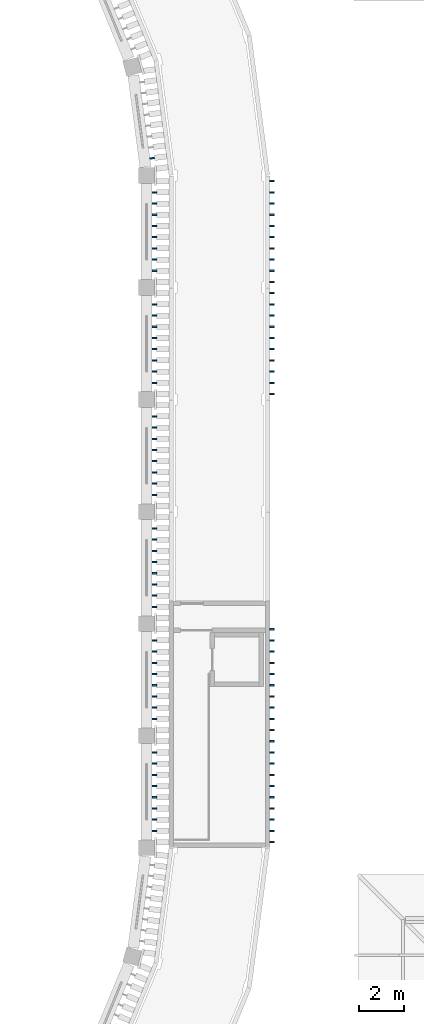
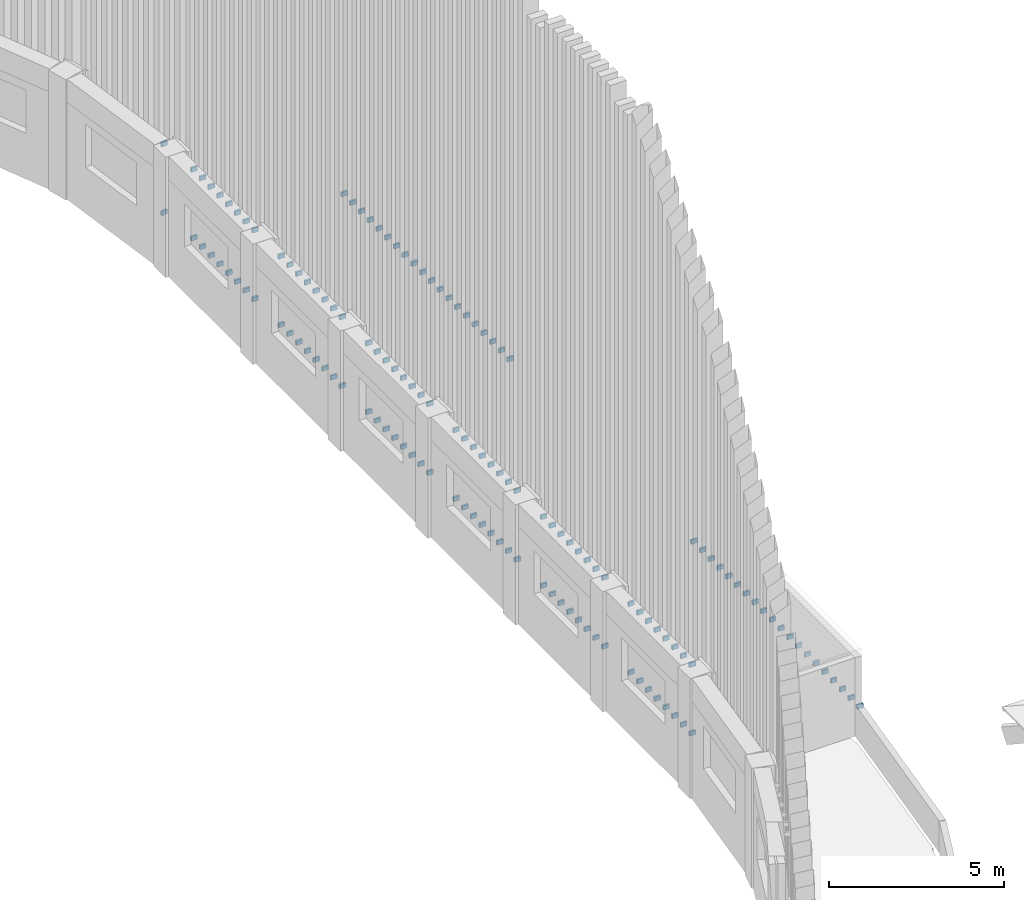
# One storey, part 38 of 68: 138 discrete accessories.
"""IFC4 building model written with IfcOpenShell, lengths in metres."""

from ifc_helpers import new_model, si_unit, direction, frame, origin, origin_2d, place, context, subcontext, project, spatial, rectangle, extrude, material, type_object, element, save


model = new_model("IFC4")

# Units and contexts
model_context = context("Model", 3, precision=1e-05, world=origin(), true_north=direction((0.0, 1.0)))
body_context = subcontext(model_context, "Body", "Model", "MODEL_VIEW")
ifc_project = project(units=[si_unit("LENGTHUNIT", "METRE"), si_unit("AREAUNIT", "SQUARE_METRE"), si_unit("VOLUMEUNIT", "CUBIC_METRE"), si_unit("PLANEANGLEUNIT", "RADIAN"), si_unit("MASSUNIT", "GRAM", prefix="KILO")], contexts=[model_context])

# Site, building, storey
site_placement = place(None, origin())
site = spatial("IfcSite", under=ifc_project, at=site_placement, CompositionType="ELEMENT")
building_placement = place(site_placement, origin())
building = spatial("IfcBuilding", under=site, at=building_placement, Name="Wasatch Bagh Community Centre", CompositionType="ELEMENT")
storey_placement = place(building_placement, frame((0.0, 0.0, 8.39990234375)))
storey = spatial("IfcBuildingStorey", under=building, at=storey_placement, Name="L02", CompositionType="ELEMENT", Elevation=8.39990234375)

# Discrete accessories
ifc_material = material(Name="ASTM A36 steel", Category="steel")
discrete_accessory_type_1 = type_object("IfcDiscreteAccessoryType", Name="Drum fin bracket", PredefinedType="BRACKET", material=ifc_material)
for number, where, z_axis, x_axis, name in (
    (1, (60.347412109375, 35.25, 0.72509765625), (0.0, 0.0, 1.0), (0.0, 1.0, 0.0), "Fin bracket 13.1.3"),
    (2, (60.347412109375, 35.75, 0.72509765625), (0.0, 0.0, 1.0), (0.0, 1.0, 0.0), "Fin bracket 13.2.3"),
    (3, (60.347412109375, 36.25, 0.72509765625), (0.0, 0.0, 1.0), (0.0, 1.0, 0.0), "Fin bracket 13.3.3"),
    (4, (60.347412109375, 36.75, 0.72509765625), (0.0, 0.0, 1.0), (0.0, 1.0, 0.0), "Fin bracket 13.4.3"),
    (5, (60.347412109375, 37.25, 0.72509765625), (0.0, 0.0, 1.0), (0.0, 1.0, 0.0), "Fin bracket 13.5.3"),
    (6, (60.347412109375, 37.75, 0.72509765625), (0.0, 0.0, 1.0), (0.0, 1.0, 0.0), "Fin bracket 13.6.3"),
    (7, (60.347412109375, 38.25, 0.72509765625), (0.0, 0.0, 1.0), (0.0, 1.0, 0.0), "Fin bracket 13.7.3"),
    (8, (60.347412109375, 38.75, 0.72509765625), (0.0, 0.0, 1.0), (0.0, 1.0, 0.0), "Fin bracket 13.8.3"),
    (9, (60.347412109375, 39.25, 0.72509765625), (0.0, 0.0, 1.0), (0.0, 1.0, 0.0), "Fin bracket 13.9.3"),
    (10, (60.347412109375, 39.75, 0.72509765625), (0.0, 0.0, 1.0), (0.0, 1.0, 0.0), "Fin bracket 13.10.3"),
    (11, (60.347412109375, 40.25, 0.72509765625), (0.0, 0.0, 1.0), (0.0, 1.0, 0.0), "Fin bracket 14.1.3"),
    (12, (60.347412109375, 40.75, 0.72509765625), (0.0, 0.0, 1.0), (0.0, 1.0, 0.0), "Fin bracket 14.2.3"),
    (13, (60.347412109375, 41.25, 0.72509765625), (0.0, 0.0, 1.0), (0.0, 1.0, 0.0), "Fin bracket 14.3.3"),
    (14, (60.347412109375, 41.75, 0.72509765625), (0.0, 0.0, 1.0), (0.0, 1.0, 0.0), "Fin bracket 14.4.3"),
    (15, (60.347412109375, 42.25, 0.72509765625), (0.0, 0.0, 1.0), (0.0, 1.0, 0.0), "Fin bracket 14.5.3"),
    (16, (60.347412109375, 42.75, 0.72509765625), (0.0, 0.0, 1.0), (0.0, 1.0, 0.0), "Fin bracket 14.6.3"),
    (17, (60.347412109375, 43.25, 0.72509765625), (0.0, 0.0, 1.0), (0.0, 1.0, 0.0), "Fin bracket 14.7.3"),
    (18, (60.347412109375, 43.75, 0.72509765625), (0.0, 0.0, 1.0), (0.0, 1.0, 0.0), "Fin bracket 14.8.3"),
    (19, (60.347412109375, 44.25, 0.72509765625), (0.0, 0.0, 1.0), (0.0, 1.0, 0.0), "Fin bracket 14.9.3"),
    (20, (60.347412109375, 44.75, 0.72509765625), (0.0, 0.0, 1.0), (0.0, 1.0, 0.0), "Fin bracket 14.10.3"),
    (21, (60.347412109375, 55.25, 0.72509765625), (0.0, 0.0, 1.0), (0.0, 1.0, 0.0), "Fin bracket 17.1.3"),
    (22, (60.347412109375, 55.75, 0.72509765625), (0.0, 0.0, 1.0), (0.0, 1.0, 0.0), "Fin bracket 17.2.3"),
    (23, (60.347412109375, 56.25, 0.72509765625), (0.0, 0.0, 1.0), (0.0, 1.0, 0.0), "Fin bracket 17.3.3"),
    (24, (60.347412109375, 56.75, 0.72509765625), (0.0, 0.0, 1.0), (0.0, 1.0, 0.0), "Fin bracket 17.4.3"),
    (25, (60.347412109375, 57.25, 0.72509765625), (0.0, 0.0, 1.0), (0.0, 1.0, 0.0), "Fin bracket 17.5.3"),
    (26, (60.347412109375, 57.75, 0.72509765625), (0.0, 0.0, 1.0), (0.0, 1.0, 0.0), "Fin bracket 17.6.3"),
    (27, (60.347412109375, 58.25, 0.72509765625), (0.0, 0.0, 1.0), (0.0, 1.0, 0.0), "Fin bracket 17.7.3"),
    (28, (60.347412109375, 58.75, 0.72509765625), (0.0, 0.0, 1.0), (0.0, 1.0, 0.0), "Fin bracket 17.8.3"),
    (29, (60.347412109375, 59.25, 0.72509765625), (0.0, 0.0, 1.0), (0.0, 1.0, 0.0), "Fin bracket 17.9.3"),
    (30, (60.347412109375, 59.75, 0.72509765625), (0.0, 0.0, 1.0), (0.0, 1.0, 0.0), "Fin bracket 17.10.3"),
    (31, (60.347412109375, 60.25, 0.72509765625), (0.0, 0.0, 1.0), (0.0, 1.0, 0.0), "Fin bracket 18.1.3"),
    (32, (60.347412109375, 60.75, 0.72509765625), (0.0, 0.0, 1.0), (0.0, 1.0, 0.0), "Fin bracket 18.2.3"),
    (33, (60.347412109375, 61.25, 0.72509765625), (0.0, 0.0, 1.0), (0.0, 1.0, 0.0), "Fin bracket 18.3.3"),
    (34, (60.347412109375, 61.75, 0.72509765625), (0.0, 0.0, 1.0), (0.0, 1.0, 0.0), "Fin bracket 18.4.3"),
    (35, (60.347412109375, 62.25, 0.72509765625), (0.0, 0.0, 1.0), (0.0, 1.0, 0.0), "Fin bracket 18.5.3"),
    (36, (60.347412109375, 62.75, 0.72509765625), (0.0, 0.0, 1.0), (0.0, 1.0, 0.0), "Fin bracket 18.6.3"),
    (37, (60.347412109375, 63.25, 0.72509765625), (0.0, 0.0, 1.0), (0.0, 1.0, 0.0), "Fin bracket 18.7.3"),
    (38, (60.347412109375, 63.75, 0.72509765625), (0.0, 0.0, 1.0), (0.0, 1.0, 0.0), "Fin bracket 18.8.3"),
    (39, (60.347412109375, 64.25, 0.72509765625), (0.0, 0.0, 1.0), (0.0, 1.0, 0.0), "Fin bracket 18.9.3"),
    (40, (60.347412109375, 64.75, 0.72509765625), (0.0, 0.0, 1.0), (0.0, 1.0, 0.0), "Fin bracket 18.10.3"),
):
    element("IfcDiscreteAccessory", number, at=place(storey_placement, frame(where, z_axis=z_axis, x_axis=x_axis)), inside=storey, type_object=discrete_accessory_type_1, Name=name, PredefinedType="BRACKET", context=body_context, shape_type="SweptSolid", body=[
        extrude(rectangle(XDim=0.070068359375, YDim=0.195068359375, at=origin_2d()), origin(), (0.0, 0.0, 1.0), 0.14990234375),
    ])
discrete_accessory_type_2 = type_object("IfcDiscreteAccessoryType", Name="MH fin bracket", PredefinedType="BRACKET", material=ifc_material)
for number, where, z_axis, x_axis, name in (
    (41, (55.10009765625, 35.75, 1.3251953125), (0.0, 0.0, 1.0), (0.0, 1.0, 0.0), "Fin bracket 13.2.1"),
    (42, (55.10009765625, 35.75, 3.72509765625), (0.0, 0.0, 1.0), (0.0, 1.0, 0.0), "Fin bracket 13.2.2"),
    (43, (55.10009765625, 36.25, 1.3251953125), (0.0, 0.0, 1.0), (0.0, 1.0, 0.0), "Fin bracket 13.3.1"),
    (44, (55.10009765625, 36.25, 3.72509765625), (0.0, 0.0, 1.0), (0.0, 1.0, 0.0), "Fin bracket 13.3.2"),
    (45, (55.10009765625, 36.75, 1.3251953125), (0.0, 0.0, 1.0), (0.0, 1.0, 0.0), "Fin bracket 13.4.1"),
    (46, (55.10009765625, 36.75, 3.72509765625), (0.0, 0.0, 1.0), (0.0, 1.0, 0.0), "Fin bracket 13.4.2"),
    (47, (55.10009765625, 37.25, 1.3251953125), (0.0, 0.0, 1.0), (0.0, 1.0, 0.0), "Fin bracket 13.5.1"),
    (48, (55.10009765625, 37.25, 3.72509765625), (0.0, 0.0, 1.0), (0.0, 1.0, 0.0), "Fin bracket 13.5.2"),
    (49, (55.10009765625, 37.75, 1.3251953125), (0.0, 0.0, 1.0), (0.0, 1.0, 0.0), "Fin bracket 13.6.1"),
    (50, (55.10009765625, 37.75, 3.72509765625), (0.0, 0.0, 1.0), (0.0, 1.0, 0.0), "Fin bracket 13.6.2"),
    (51, (55.10009765625, 38.25, 1.3251953125), (0.0, 0.0, 1.0), (0.0, 1.0, 0.0), "Fin bracket 13.7.1"),
    (52, (55.10009765625, 38.25, 3.72509765625), (0.0, 0.0, 1.0), (0.0, 1.0, 0.0), "Fin bracket 13.7.2"),
    (53, (55.10009765625, 38.75, 1.3251953125), (0.0, 0.0, 1.0), (0.0, 1.0, 0.0), "Fin bracket 13.8.1"),
    (54, (55.10009765625, 38.75, 3.72509765625), (0.0, 0.0, 1.0), (0.0, 1.0, 0.0), "Fin bracket 13.8.2"),
    (55, (55.10009765625, 39.25, 1.3251953125), (0.0, 0.0, 1.0), (0.0, 1.0, 0.0), "Fin bracket 13.9.1"),
    (56, (55.10009765625, 39.25, 3.72509765625), (0.0, 0.0, 1.0), (0.0, 1.0, 0.0), "Fin bracket 13.9.2"),
    (57, (55.10009765625, 40.75, 1.3251953125), (0.0, 0.0, 1.0), (0.0, 1.0, 0.0), "Fin bracket 14.2.1"),
    (58, (55.10009765625, 40.75, 3.72509765625), (0.0, 0.0, 1.0), (0.0, 1.0, 0.0), "Fin bracket 14.2.2"),
    (59, (55.10009765625, 41.25, 1.3251953125), (0.0, 0.0, 1.0), (0.0, 1.0, 0.0), "Fin bracket 14.3.1"),
    (60, (55.10009765625, 41.25, 3.72509765625), (0.0, 0.0, 1.0), (0.0, 1.0, 0.0), "Fin bracket 14.3.2"),
    (61, (55.10009765625, 41.75, 1.3251953125), (0.0, 0.0, 1.0), (0.0, 1.0, 0.0), "Fin bracket 14.4.1"),
    (62, (55.10009765625, 41.75, 3.72509765625), (0.0, 0.0, 1.0), (0.0, 1.0, 0.0), "Fin bracket 14.4.2"),
    (63, (55.10009765625, 42.25, 1.3251953125), (0.0, 0.0, 1.0), (0.0, 1.0, 0.0), "Fin bracket 14.5.1"),
    (64, (55.10009765625, 42.25, 3.72509765625), (0.0, 0.0, 1.0), (0.0, 1.0, 0.0), "Fin bracket 14.5.2"),
    (65, (55.10009765625, 42.75, 1.3251953125), (0.0, 0.0, 1.0), (0.0, 1.0, 0.0), "Fin bracket 14.6.1"),
    (66, (55.10009765625, 42.75, 3.72509765625), (0.0, 0.0, 1.0), (0.0, 1.0, 0.0), "Fin bracket 14.6.2"),
    (67, (55.10009765625, 43.25, 1.3251953125), (0.0, 0.0, 1.0), (0.0, 1.0, 0.0), "Fin bracket 14.7.1"),
    (68, (55.10009765625, 43.25, 3.72509765625), (0.0, 0.0, 1.0), (0.0, 1.0, 0.0), "Fin bracket 14.7.2"),
    (69, (55.10009765625, 43.75, 1.3251953125), (0.0, 0.0, 1.0), (0.0, 1.0, 0.0), "Fin bracket 14.8.1"),
    (70, (55.10009765625, 43.75, 3.72509765625), (0.0, 0.0, 1.0), (0.0, 1.0, 0.0), "Fin bracket 14.8.2"),
    (71, (55.10009765625, 44.25, 1.3251953125), (0.0, 0.0, 1.0), (0.0, 1.0, 0.0), "Fin bracket 14.9.1"),
    (72, (55.10009765625, 44.25, 3.72509765625), (0.0, 0.0, 1.0), (0.0, 1.0, 0.0), "Fin bracket 14.9.2"),
    (73, (55.10009765625, 45.75, 1.3251953125), (0.0, 0.0, 1.0), (0.0, 1.0, 0.0), "Fin bracket 15.2.1"),
    (74, (55.10009765625, 45.75, 3.72509765625), (0.0, 0.0, 1.0), (0.0, 1.0, 0.0), "Fin bracket 15.2.2"),
    (75, (55.10009765625, 46.25, 1.3251953125), (0.0, 0.0, 1.0), (0.0, 1.0, 0.0), "Fin bracket 15.3.1"),
    (76, (55.10009765625, 46.25, 3.72509765625), (0.0, 0.0, 1.0), (0.0, 1.0, 0.0), "Fin bracket 15.3.2"),
    (77, (55.10009765625, 46.75, 1.3251953125), (0.0, 0.0, 1.0), (0.0, 1.0, 0.0), "Fin bracket 15.4.1"),
    (78, (55.10009765625, 46.75, 3.72509765625), (0.0, 0.0, 1.0), (0.0, 1.0, 0.0), "Fin bracket 15.4.2"),
    (79, (55.10009765625, 47.25, 1.3251953125), (0.0, 0.0, 1.0), (0.0, 1.0, 0.0), "Fin bracket 15.5.1"),
    (80, (55.10009765625, 47.25, 3.72509765625), (0.0, 0.0, 1.0), (0.0, 1.0, 0.0), "Fin bracket 15.5.2"),
    (81, (55.10009765625, 47.75, 1.3251953125), (0.0, 0.0, 1.0), (0.0, 1.0, 0.0), "Fin bracket 15.6.1"),
    (82, (55.10009765625, 47.75, 3.72509765625), (0.0, 0.0, 1.0), (0.0, 1.0, 0.0), "Fin bracket 15.6.2"),
    (83, (55.10009765625, 48.25, 1.3251953125), (0.0, 0.0, 1.0), (0.0, 1.0, 0.0), "Fin bracket 15.7.1"),
    (84, (55.10009765625, 48.25, 3.72509765625), (0.0, 0.0, 1.0), (0.0, 1.0, 0.0), "Fin bracket 15.7.2"),
    (85, (55.10009765625, 48.75, 1.3251953125), (0.0, 0.0, 1.0), (0.0, 1.0, 0.0), "Fin bracket 15.8.1"),
    (86, (55.10009765625, 48.75, 3.72509765625), (0.0, 0.0, 1.0), (0.0, 1.0, 0.0), "Fin bracket 15.8.2"),
    (87, (55.10009765625, 49.25, 1.3251953125), (0.0, 0.0, 1.0), (0.0, 1.0, 0.0), "Fin bracket 15.9.1"),
    (88, (55.10009765625, 49.25, 3.72509765625), (0.0, 0.0, 1.0), (0.0, 1.0, 0.0), "Fin bracket 15.9.2"),
    (89, (55.10009765625, 50.75, 1.3251953125), (0.0, 0.0, 1.0), (0.0, 1.0, 0.0), "Fin bracket 16.2.1"),
    (90, (55.10009765625, 50.75, 3.72509765625), (0.0, 0.0, 1.0), (0.0, 1.0, 0.0), "Fin bracket 16.2.2"),
    (91, (55.10009765625, 51.25, 1.3251953125), (0.0, 0.0, 1.0), (0.0, 1.0, 0.0), "Fin bracket 16.3.1"),
    (92, (55.10009765625, 51.25, 3.72509765625), (0.0, 0.0, 1.0), (0.0, 1.0, 0.0), "Fin bracket 16.3.2"),
    (93, (55.10009765625, 51.75, 1.3251953125), (0.0, 0.0, 1.0), (0.0, 1.0, 0.0), "Fin bracket 16.4.1"),
    (94, (55.10009765625, 51.75, 3.72509765625), (0.0, 0.0, 1.0), (0.0, 1.0, 0.0), "Fin bracket 16.4.2"),
    (95, (55.10009765625, 52.25, 1.3251953125), (0.0, 0.0, 1.0), (0.0, 1.0, 0.0), "Fin bracket 16.5.1"),
    (96, (55.10009765625, 52.25, 3.72509765625), (0.0, 0.0, 1.0), (0.0, 1.0, 0.0), "Fin bracket 16.5.2"),
    (97, (55.10009765625, 52.75, 1.3251953125), (0.0, 0.0, 1.0), (0.0, 1.0, 0.0), "Fin bracket 16.6.1"),
    (98, (55.10009765625, 52.75, 3.72509765625), (0.0, 0.0, 1.0), (0.0, 1.0, 0.0), "Fin bracket 16.6.2"),
    (99, (55.10009765625, 53.25, 1.3251953125), (0.0, 0.0, 1.0), (0.0, 1.0, 0.0), "Fin bracket 16.7.1"),
    (100, (55.10009765625, 53.25, 3.72509765625), (0.0, 0.0, 1.0), (0.0, 1.0, 0.0), "Fin bracket 16.7.2"),
    (101, (55.10009765625, 53.75, 1.3251953125), (0.0, 0.0, 1.0), (0.0, 1.0, 0.0), "Fin bracket 16.8.1"),
    (102, (55.10009765625, 53.75, 3.72509765625), (0.0, 0.0, 1.0), (0.0, 1.0, 0.0), "Fin bracket 16.8.2"),
    (103, (55.10009765625, 54.25, 1.3251953125), (0.0, 0.0, 1.0), (0.0, 1.0, 0.0), "Fin bracket 16.9.1"),
    (104, (55.10009765625, 54.25, 3.72509765625), (0.0, 0.0, 1.0), (0.0, 1.0, 0.0), "Fin bracket 16.9.2"),
    (105, (55.10009765625, 55.75, 1.3251953125), (0.0, 0.0, 1.0), (0.0, 1.0, 0.0), "Fin bracket 17.2.1"),
    (106, (55.10009765625, 55.75, 3.72509765625), (0.0, 0.0, 1.0), (0.0, 1.0, 0.0), "Fin bracket 17.2.2"),
    (107, (55.10009765625, 56.25, 1.3251953125), (0.0, 0.0, 1.0), (0.0, 1.0, 0.0), "Fin bracket 17.3.1"),
    (108, (55.10009765625, 56.25, 3.72509765625), (0.0, 0.0, 1.0), (0.0, 1.0, 0.0), "Fin bracket 17.3.2"),
    (109, (55.10009765625, 56.75, 1.3251953125), (0.0, 0.0, 1.0), (0.0, 1.0, 0.0), "Fin bracket 17.4.1"),
    (110, (55.10009765625, 56.75, 3.72509765625), (0.0, 0.0, 1.0), (0.0, 1.0, 0.0), "Fin bracket 17.4.2"),
    (111, (55.10009765625, 57.25, 1.3251953125), (0.0, 0.0, 1.0), (0.0, 1.0, 0.0), "Fin bracket 17.5.1"),
    (112, (55.10009765625, 57.25, 3.72509765625), (0.0, 0.0, 1.0), (0.0, 1.0, 0.0), "Fin bracket 17.5.2"),
    (113, (55.10009765625, 57.75, 1.3251953125), (0.0, 0.0, 1.0), (0.0, 1.0, 0.0), "Fin bracket 17.6.1"),
    (114, (55.10009765625, 57.75, 3.72509765625), (0.0, 0.0, 1.0), (0.0, 1.0, 0.0), "Fin bracket 17.6.2"),
    (115, (55.10009765625, 58.25, 1.3251953125), (0.0, 0.0, 1.0), (0.0, 1.0, 0.0), "Fin bracket 17.7.1"),
    (116, (55.10009765625, 58.25, 3.72509765625), (0.0, 0.0, 1.0), (0.0, 1.0, 0.0), "Fin bracket 17.7.2"),
    (117, (55.10009765625, 58.75, 1.3251953125), (0.0, 0.0, 1.0), (0.0, 1.0, 0.0), "Fin bracket 17.8.1"),
    (118, (55.10009765625, 58.75, 3.72509765625), (0.0, 0.0, 1.0), (0.0, 1.0, 0.0), "Fin bracket 17.8.2"),
    (119, (55.10009765625, 59.25, 1.3251953125), (0.0, 0.0, 1.0), (0.0, 1.0, 0.0), "Fin bracket 17.9.1"),
    (120, (55.10009765625, 59.25, 3.72509765625), (0.0, 0.0, 1.0), (0.0, 1.0, 0.0), "Fin bracket 17.9.2"),
    (121, (55.10009765625, 60.75, 1.3251953125), (0.0, 0.0, 1.0), (0.0, 1.0, 0.0), "Fin bracket 18.2.1"),
    (122, (55.10009765625, 60.75, 3.72509765625), (0.0, 0.0, 1.0), (0.0, 1.0, 0.0), "Fin bracket 18.2.2"),
    (123, (55.10009765625, 61.25, 1.3251953125), (0.0, 0.0, 1.0), (0.0, 1.0, 0.0), "Fin bracket 18.3.1"),
    (124, (55.10009765625, 61.25, 3.72509765625), (0.0, 0.0, 1.0), (0.0, 1.0, 0.0), "Fin bracket 18.3.2"),
    (125, (55.10009765625, 61.75, 1.3251953125), (0.0, 0.0, 1.0), (0.0, 1.0, 0.0), "Fin bracket 18.4.1"),
    (126, (55.10009765625, 61.75, 3.72509765625), (0.0, 0.0, 1.0), (0.0, 1.0, 0.0), "Fin bracket 18.4.2"),
    (127, (55.10009765625, 62.25, 1.3251953125), (0.0, 0.0, 1.0), (0.0, 1.0, 0.0), "Fin bracket 18.5.1"),
    (128, (55.10009765625, 62.25, 3.72509765625), (0.0, 0.0, 1.0), (0.0, 1.0, 0.0), "Fin bracket 18.5.2"),
    (129, (55.10009765625, 62.75, 1.3251953125), (0.0, 0.0, 1.0), (0.0, 1.0, 0.0), "Fin bracket 18.6.1"),
    (130, (55.10009765625, 62.75, 3.72509765625), (0.0, 0.0, 1.0), (0.0, 1.0, 0.0), "Fin bracket 18.6.2"),
    (131, (55.10009765625, 63.25, 1.3251953125), (0.0, 0.0, 1.0), (0.0, 1.0, 0.0), "Fin bracket 18.7.1"),
    (132, (55.10009765625, 63.25, 3.72509765625), (0.0, 0.0, 1.0), (0.0, 1.0, 0.0), "Fin bracket 18.7.2"),
    (133, (55.10009765625, 63.75, 1.3251953125), (0.0, 0.0, 1.0), (0.0, 1.0, 0.0), "Fin bracket 18.8.1"),
    (134, (55.10009765625, 63.75, 3.72509765625), (0.0, 0.0, 1.0), (0.0, 1.0, 0.0), "Fin bracket 18.8.2"),
    (135, (55.10009765625, 64.25, 1.3251953125), (0.0, 0.0, 1.0), (0.0, 1.0, 0.0), "Fin bracket 18.9.1"),
    (136, (55.10009765625, 64.25, 3.72509765625), (0.0, 0.0, 1.0), (0.0, 1.0, 0.0), "Fin bracket 18.9.2"),
    (137, (55.001220703125, 65.773681640625, 1.3251953125), (0.0, 0.0, 1.0), (-0.13052619222, 0.991444861374, 0.0), "Fin bracket 19.2.1"),
    (138, (55.001220703125, 65.773681640625, 3.72509765625), (0.0, 0.0, 1.0), (-0.13052619222, 0.991444861374, 0.0), "Fin bracket 19.2.2"),
):
    element("IfcDiscreteAccessory", number, at=place(storey_placement, frame(where, z_axis=z_axis, x_axis=x_axis)), inside=storey, type_object=discrete_accessory_type_2, Name=name, PredefinedType="BRACKET", context=body_context, shape_type="SweptSolid", body=[
        extrude(rectangle(XDim=0.070068359375, YDim=0.199951171875, at=origin_2d()), origin(), (0.0, 0.0, 1.0), 0.14990234375),
    ])

save(model, "model.ifc")
